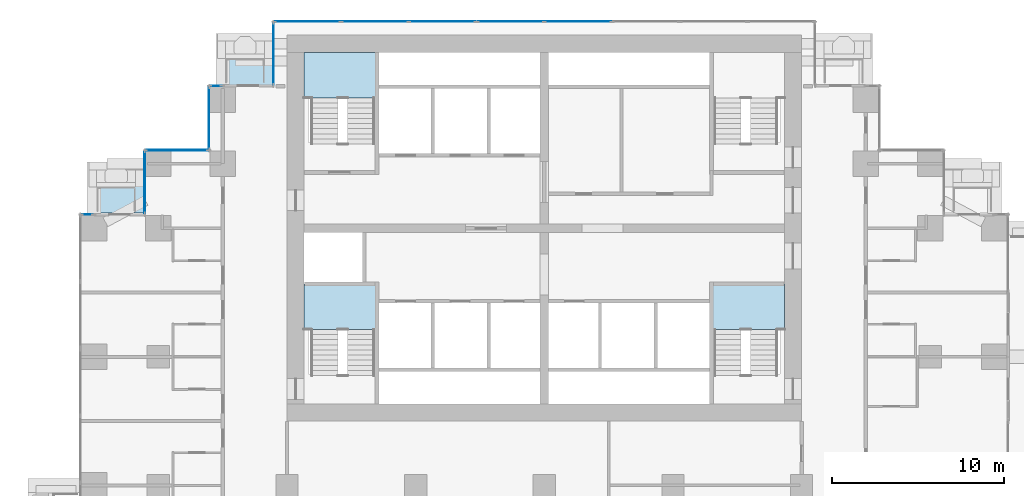
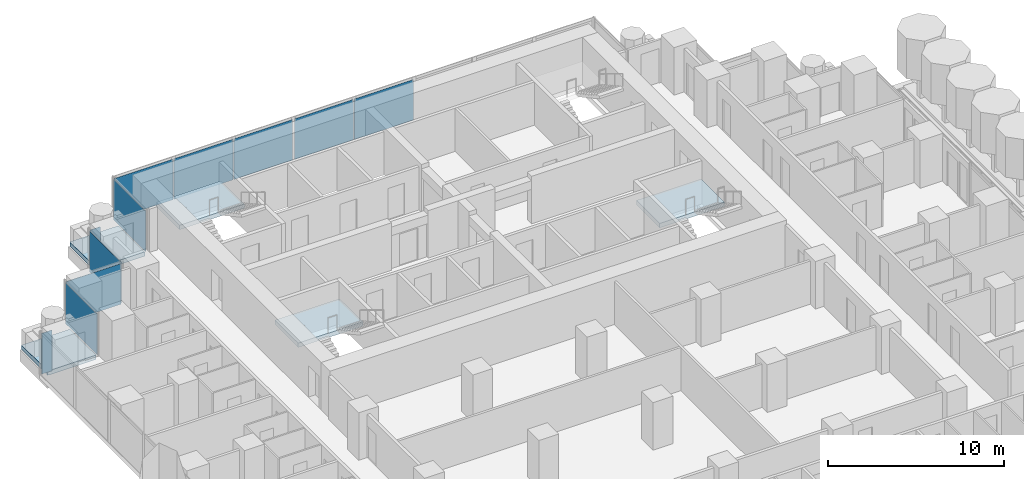
# One storey, part 9 of 20: 11 plates, 5 slabs, 11 elements without a shape of their own.
"""IFC4 building model written with IfcOpenShell, lengths in metres."""

import ifcopenshell
import ifcopenshell.guid

model = None  # the IFC model being written
_history = None  # IfcOwnerHistory: only IFC2X3 demands one
_inside = {}  # id of a spatial element -> (the spatial element, [elements in it])
_under = {}  # id of a project, library or spatial element -> (it, [spatial elements below it])
_declared = {}  # id of a project -> (the project, [libraries it declares])
_typed = {}  # id of a type object -> (the type object, [elements of that type])
_made_of = {}  # id of a material, layer set ... -> (it, [elements and type objects made of it])


def new_model(schema):
    """Start an empty IFC model of exactly this schema.

    Asked for "IFC4X3", IfcOpenShell would pick the latest addendum, in which some entities
    have other attributes; the version numbers below select the first issue.
    IFC2X3 requires an IfcOwnerHistory on every rooted entity: one is made here for all.
    """
    global model, _history
    if schema == "IFC4X3":
        model = ifcopenshell.file(schema_version=(4, 3, 0, 0))
    else:
        model = ifcopenshell.file(schema=schema)
    _inside.clear()
    _under.clear()
    _declared.clear()
    _typed.clear()
    _made_of.clear()
    _history = None
    if model.schema == "IFC2X3":
        org = make("IfcOrganization", Name="unknown")
        user = make(
            "IfcPersonAndOrganization",
            ThePerson=make("IfcPerson", FamilyName="unknown"),
            TheOrganization=org,
        )
        app = make(
            "IfcApplication",
            ApplicationDeveloper=org,
            Version="unknown",
            ApplicationFullName="unknown",
            ApplicationIdentifier="unknown",
        )
        _history = make(
            "IfcOwnerHistory",
            OwningUser=user,
            OwningApplication=app,
            ChangeAction="ADDED",
            CreationDate=0,
        )
    return model


def make(cls, **values):
    """One entity of the class cls with the attributes given. An attribute that is None is left unset."""
    return model.create_entity(
        cls, **{name: value for name, value in values.items() if value is not None}
    )


def rooted(cls, **values):
    """An entity with a GlobalId (a new one), such as an element, a storey or a relation."""
    return make(cls, GlobalId=ifcopenshell.guid.new(), OwnerHistory=_history, **values)


def si_unit(unit_type, name, prefix=None):
    """IfcSIUnit, for example si_unit("LENGTHUNIT", "METRE", prefix="MILLI")."""
    return make("IfcSIUnit", UnitType=unit_type, Prefix=prefix, Name=name)


def assignment(units):
    """IfcUnitAssignment: the units of a project."""
    return None if units is None else make("IfcUnitAssignment", Units=units)


def point(xyz):
    """IfcCartesianPoint."""
    return None if xyz is None else make("IfcCartesianPoint", Coordinates=xyz)


def direction(xyz):
    """IfcDirection."""
    return None if xyz is None else make("IfcDirection", DirectionRatios=xyz)


def frame(location, z_axis=None, x_axis=None):
    """IfcAxis2Placement3D, a coordinate frame: its origin and axes. An axis left out is left unset."""
    return make(
        "IfcAxis2Placement3D",
        Location=point(location),
        Axis=direction(z_axis),
        RefDirection=direction(x_axis),
    )


def frame_2d(location, x_axis=None):
    """IfcAxis2Placement2D, a coordinate frame in the plane: its origin and x axis."""
    return make(
        "IfcAxis2Placement2D", Location=point(location), RefDirection=direction(x_axis)
    )


def origin():
    """The frame at (0, 0, 0) with its axes left unset."""
    return frame((0.0, 0.0, 0.0))


def origin_2d():
    """The frame at (0, 0) in the plane with its x axis left unset."""
    return frame_2d((0.0, 0.0))


def place(relative_to, where):
    """IfcLocalPlacement: puts the frame where relative to a parent placement (None: the world)."""
    return make(
        "IfcLocalPlacement", PlacementRelTo=relative_to, RelativePlacement=where
    )


def context(
    kind, dimensions, precision=None, world=None, true_north=None, identifier=None
):
    """IfcGeometricRepresentationContext, for example the 3D "Model" context."""
    return make(
        "IfcGeometricRepresentationContext",
        ContextIdentifier=identifier,
        ContextType=kind,
        CoordinateSpaceDimension=dimensions,
        Precision=precision,
        WorldCoordinateSystem=world,
        TrueNorth=true_north,
    )


def subcontext(parent, identifier, kind, view, scale=None):
    """IfcGeometricRepresentationSubContext, for example "Body" below "Model"."""
    return make(
        "IfcGeometricRepresentationSubContext",
        ContextIdentifier=identifier,
        ContextType=kind,
        ParentContext=parent,
        TargetScale=scale,
        TargetView=view,
    )


def project(units=None, contexts=None):
    """IfcProject with its units and contexts."""
    return rooted(
        "IfcProject",
        Name="project",
        RepresentationContexts=contexts,
        UnitsInContext=assignment(units),
    )


def spatial(cls, under=None, at=None, **own):
    """A site, building, storey or space (cls), placed at a placement, below another one or the project."""
    s = rooted(cls, ObjectPlacement=at, **own)
    if under is not None:
        _under.setdefault(under.id(), (under, []))[1].append(s)
    return s


def polyline(points):
    """IfcPolyline through the points."""
    return make("IfcPolyline", Points=[point(p) for p in points])


def profile(cls, at=None, kind="AREA", **sizes):
    """A parametric profile (cls). Its sizes go by their IFC names, for example OverallWidth=200.0."""
    return make(cls, ProfileType=kind, Position=at, **sizes)


def rectangle(**sizes):
    """IfcRectangleProfileDef."""
    return profile("IfcRectangleProfileDef", **sizes)


def outline(outer, holes=None, kind="AREA"):
    """IfcArbitraryClosedProfileDef: a profile drawn as a closed curve; with holes, ...WithVoids."""
    if holes is None:
        return make("IfcArbitraryClosedProfileDef", ProfileType=kind, OuterCurve=outer)
    return make(
        "IfcArbitraryProfileDefWithVoids",
        ProfileType=kind,
        OuterCurve=outer,
        InnerCurves=holes,
    )


def extrude(swept, where, along, depth):
    """IfcExtrudedAreaSolid: the profile swept, set in the frame where, extruded along a direction by depth."""
    return make(
        "IfcExtrudedAreaSolid",
        SweptArea=swept,
        Position=where,
        ExtrudedDirection=direction(along),
        Depth=depth,
    )


def shape(context_of_items, identifier, shape_type, items):
    """IfcShapeRepresentation: the items that make up one representation, for example the "Body"."""
    return make(
        "IfcShapeRepresentation",
        ContextOfItems=context_of_items,
        RepresentationIdentifier=identifier,
        RepresentationType=shape_type,
        Items=items,
    )


def material(Name=None, Category=None):
    """IfcMaterial."""
    return make("IfcMaterial", Name=Name, Category=Category)


def layer(
    of_material, thickness, ventilated=None, Name=None, Category=None, Priority=None
):
    """IfcMaterialLayer: one layer of a wall or slab, of a material (None: an air gap)."""
    return make(
        "IfcMaterialLayer",
        Material=of_material,
        LayerThickness=thickness,
        IsVentilated=ventilated,
        Name=Name,
        Category=Category,
        Priority=Priority,
    )


def layer_set(layers, Name=None):
    """IfcMaterialLayerSet."""
    return make("IfcMaterialLayerSet", MaterialLayers=layers, LayerSetName=Name)


def made_of(thing, what):
    """Note that an element or type object is made of a material, layer set ...; save() writes the relation."""
    if what is not None:
        _made_of.setdefault(what.id(), (what, []))[1].append(thing)
    return thing


def type_object(cls, material=None, **own):
    """A type object (cls), such as IfcWallType, which elements share."""
    return made_of(rooted(cls, **own), material)


def element(
    cls,
    number,
    at=None,
    inside=None,
    cuts=None,
    type_object=None,
    material=None,
    context=None,
    identifier="Body",
    shape_type=None,
    held_by="IfcProductDefinitionShape",
    body=None,
    shapes=None,
    **own,
):
    """One element of the class cls, such as IfcWall. Its Tag is "e" and its number.

    at: its placement. inside: the storey or other place that contains it. cuts: it is an
    opening in that element (IfcRelVoidsElement). A single representation is given by context,
    identifier, shape_type and body (its items); several are given by shapes. held_by: the class
    of the entity that holds the representations. save() writes the other relations.
    """
    e = rooted(cls, Tag="e%d" % number, ObjectPlacement=at, **own)
    if body is not None:
        shapes = [shape(context, identifier, shape_type, body)]
    if shapes is not None:
        e.Representation = make(held_by, Representations=shapes)
    if inside is not None:
        _inside.setdefault(inside.id(), (inside, []))[1].append(e)
    if cuts is not None:
        rooted(
            "IfcRelVoidsElement", RelatingBuildingElement=cuts, RelatedOpeningElement=e
        )
    if type_object is not None:
        _typed.setdefault(type_object.id(), (type_object, []))[1].append(e)
    return made_of(e, material)


def aggregate(whole, parts):
    """IfcRelAggregates: a whole, such as a stair, and the parts it consists of."""
    return rooted("IfcRelAggregates", RelatingObject=whole, RelatedObjects=parts)


def save(model, path):
    """Write the relations noted so far, then the file.

    IfcRelAggregates (storeys below a building ...), IfcRelContainedInSpatialStructure (elements
    in a storey), IfcRelDefinesByType, IfcRelAssociatesMaterial and IfcRelDeclares: one each for
    every whole, place, type object, material and project.
    """
    for whole, parts in _under.values():
        aggregate(whole, parts)
    for where, things in _inside.values():
        rooted(
            "IfcRelContainedInSpatialStructure",
            RelatedElements=things,
            RelatingStructure=where,
        )
    for kind, things in _typed.values():
        rooted("IfcRelDefinesByType", RelatedObjects=things, RelatingType=kind)
    for what, things in _made_of.values():
        rooted("IfcRelAssociatesMaterial", RelatedObjects=things, RelatingMaterial=what)
    for by, libraries in _declared.values():
        rooted("IfcRelDeclares", RelatingContext=by, RelatedDefinitions=libraries)
    model.write(path)


model = new_model("IFC4")

# Units and contexts
model_context = context("Model", 3, precision=1e-05, world=origin(), true_north=direction((0.0, 1.0)))
body_context = subcontext(model_context, "Body", "Model", "MODEL_VIEW")
ifc_project = project(units=[si_unit("LENGTHUNIT", "METRE"), si_unit("AREAUNIT", "SQUARE_METRE"), si_unit("VOLUMEUNIT", "CUBIC_METRE"), si_unit("PLANEANGLEUNIT", "RADIAN"), si_unit("MASSUNIT", "GRAM", prefix="KILO")], contexts=[model_context])

# Site, building, storey
site_placement = place(None, origin())
site = spatial("IfcSite", under=ifc_project, at=site_placement, CompositionType="ELEMENT")
building_placement = place(site_placement, origin())
building = spatial("IfcBuilding", under=site, at=building_placement, Name="Pilkhan Gate Tower", CompositionType="ELEMENT")
storey_placement = place(building_placement, frame((0.0, 0.0, 85.699951171875)))
storey = spatial("IfcBuildingStorey", under=building, at=storey_placement, Name="L20", CompositionType="ELEMENT", Elevation=85.699951171875)

# Slabs
ifc_material_1 = material(Name="Concrete C60/75", Category="concrete")
ifc_layer_1 = layer(ifc_material_1, 0.300048828125)
ifc_layer_set_1 = layer_set([ifc_layer_1], Name="Balcony tray slab TR300")
slab_type_1 = type_object("IfcSlabType", Name="Balcony tray slab TR300", PredefinedType="FLOOR", material=ifc_layer_set_1)
slab_1_placement = place(storey_placement, frame((0.0, 0.0, -0.300048828125)))
element("IfcSlab", 1, at=slab_1_placement, inside=storey, type_object=slab_type_1, Name="Balcony tray L20 N", PredefinedType="FLOOR", context=body_context, shape_type="SweptSolid", body=[
    extrude(outline(polyline([(59.14990234375, 90.85009765625), (59.14990234375, 93.85009765625), (55.949951171875, 93.85009765625), (55.949951171875, 90.85009765625), (59.14990234375, 90.85009765625)])), origin(), (0.0, 0.0, 1.0), 0.300048828125),
])
slab_2_placement = place(storey_placement, frame((0.0, 0.0, -0.300048828125)))
element("IfcSlab", 2, at=slab_2_placement, inside=storey, type_object=slab_type_1, Name="Balcony tray L20 N", PredefinedType="FLOOR", context=body_context, shape_type="SweptSolid", body=[
    extrude(outline(polyline([(51.6298828125, 83.3701171875), (51.6298828125, 86.35009765625), (48.449951171875, 86.35009765625), (48.449951171875, 83.3701171875), (51.6298828125, 83.3701171875)])), origin(), (0.0, 0.0, 1.0), 0.300048828125),
])

# Curtain wall, plates
ifc_material_2 = material(Name="Pale anodised aluminium, clear low-iron double glazing", Category="aluminium")
curtain_wall_type = type_object("IfcCurtainWallType", Name="Hotel unitised curtain wall CW-H", PredefinedType="USERDEFINED", material=ifc_material_2)
curtain_wall_1_placement = place(storey_placement, origin())
curtain_wall_1 = element("IfcCurtainWall", 3, at=curtain_wall_1_placement, inside=storey, type_object=curtain_wall_type, Name="Hotel unitised curtain wall CW-H L20 N", ObjectType="UNITISED CURTAIN WALL", PredefinedType="USERDEFINED")
ifc_material_3 = material(Name="Clear low-iron double glazing", Category="glass")
ifc_layer_2 = layer(ifc_material_3, 0.035888671875)
ifc_layer_set_2 = layer_set([ifc_layer_2], Name="Glass panel CW-H 36")
plate_type = type_object("IfcPlateType", Name="Glass panel CW-H 36", PredefinedType="CURTAIN_PANEL", material=ifc_layer_set_2)
plate_1_placement = place(storey_placement, frame((61.195556640625, 94.544921875, 0.0), z_axis=(0.0, 0.0, 1.0), x_axis=(1.0, 0.0, 0.0)))
plate_1 = element("IfcPlate", 4, at=plate_1_placement, type_object=plate_type, Name="CW-H panel 1", PredefinedType="CURTAIN_PANEL", context=body_context, shape_type="SweptSolid", body=[
    extrude(rectangle(XDim=3.851318359375, YDim=0.035888671875, at=origin_2d()), origin(), (0.0, 0.0, 1.0), 2.820068359375),
])
plate_2_placement = place(storey_placement, frame((65.128173828125, 94.544921875, 0.0), z_axis=(0.0, 0.0, 1.0), x_axis=(1.0, 0.0, 0.0)))
plate_2 = element("IfcPlate", 5, at=plate_2_placement, type_object=plate_type, Name="CW-H panel 2", PredefinedType="CURTAIN_PANEL", context=body_context, shape_type="SweptSolid", body=[
    extrude(rectangle(XDim=3.8837890625, YDim=0.035888671875, at=origin_2d()), origin(), (0.0, 0.0, 1.0), 2.820068359375),
])
plate_3_placement = place(storey_placement, frame((69.060546875, 94.544921875, 0.0), z_axis=(0.0, 0.0, 1.0), x_axis=(1.0, 0.0, 0.0)))
plate_3 = element("IfcPlate", 6, at=plate_3_placement, type_object=plate_type, Name="CW-H panel 3", PredefinedType="CURTAIN_PANEL", context=body_context, shape_type="SweptSolid", body=[
    extrude(rectangle(XDim=3.851318359375, YDim=0.035888671875, at=origin_2d()), origin(), (0.0, 0.0, 1.0), 2.820068359375),
])
aggregate(curtain_wall_1, [plate_1, plate_2, plate_3])

curtain_wall_2_placement = place(storey_placement, origin())
curtain_wall_2 = element("IfcCurtainWall", 7, at=curtain_wall_2_placement, inside=storey, type_object=curtain_wall_type, Name="Hotel unitised curtain wall CW-H L20 N", ObjectType="UNITISED CURTAIN WALL", PredefinedType="USERDEFINED")
plate_4_placement = place(storey_placement, frame((73.0419921875, 94.544921875, 0.0), z_axis=(0.0, 0.0, 1.0), x_axis=(1.0, 0.0, 0.0)))
plate_4 = element("IfcPlate", 8, at=plate_4_placement, type_object=plate_type, Name="CW-H panel 1", PredefinedType="CURTAIN_PANEL", context=body_context, shape_type="SweptSolid", body=[
    extrude(rectangle(XDim=3.851318359375, YDim=0.035888671875, at=origin_2d()), origin(), (0.0, 0.0, 1.0), 2.820068359375),
])
plate_5_placement = place(storey_placement, frame((76.974365234375, 94.544921875, 0.0), z_axis=(0.0, 0.0, 1.0), x_axis=(1.0, 0.0, 0.0)))
plate_5 = element("IfcPlate", 9, at=plate_5_placement, type_object=plate_type, Name="CW-H panel 2", PredefinedType="CURTAIN_PANEL", context=body_context, shape_type="SweptSolid", body=[
    extrude(rectangle(XDim=3.8837890625, YDim=0.035888671875, at=origin_2d()), origin(), (0.0, 0.0, 1.0), 2.820068359375),
])
aggregate(curtain_wall_2, [plate_4, plate_5])

# Curtain wall, plate
curtain_wall_3_placement = place(storey_placement, origin())
curtain_wall_3 = element("IfcCurtainWall", 10, at=curtain_wall_3_placement, inside=storey, type_object=curtain_wall_type, Name="Hotel unitised curtain wall CW-H L20 W", ObjectType="UNITISED CURTAIN WALL", PredefinedType="USERDEFINED")
plate_6_placement = place(storey_placement, frame((59.205078125, 92.669921875, 0.0), z_axis=(0.0, 0.0, 1.0), x_axis=(0.0, 1.0, 0.0)))
plate_6 = element("IfcPlate", 11, at=plate_6_placement, type_object=plate_type, Name="CW-H panel 1", PredefinedType="CURTAIN_PANEL", context=body_context, shape_type="SweptSolid", body=[
    extrude(rectangle(XDim=3.6201171875, YDim=0.035888671875, at=origin_2d()), origin(), (0.0, 0.0, 1.0), 2.820068359375),
])
aggregate(curtain_wall_3, [plate_6])

curtain_wall_4_placement = place(storey_placement, origin())
curtain_wall_4 = element("IfcCurtainWall", 12, at=curtain_wall_4_placement, inside=storey, type_object=curtain_wall_type, Name="Hotel unitised curtain wall CW-H L20 N", ObjectType="UNITISED CURTAIN WALL", PredefinedType="USERDEFINED")
plate_7_placement = place(storey_placement, frame((55.8525390625, 90.794921875, 0.0), z_axis=(0.0, 0.0, 1.0), x_axis=(1.0, 0.0, 0.0)))
plate_7 = element("IfcPlate", 13, at=plate_7_placement, type_object=plate_type, Name="CW-H panel 1", PredefinedType="CURTAIN_PANEL", context=body_context, shape_type="SweptSolid", body=[
    extrude(rectangle(XDim=0.6650390625, YDim=0.035888671875, at=origin_2d()), origin(), (0.0, 0.0, 1.0), 2.820068359375),
])
aggregate(curtain_wall_4, [plate_7])

curtain_wall_5_placement = place(storey_placement, origin())
curtain_wall_5 = element("IfcCurtainWall", 14, at=curtain_wall_5_placement, inside=storey, type_object=curtain_wall_type, Name="Hotel unitised curtain wall CW-H L20 W", ObjectType="UNITISED CURTAIN WALL", PredefinedType="USERDEFINED")
plate_8_placement = place(storey_placement, frame((55.455078125, 88.919921875, 0.0), z_axis=(0.0, 0.0, 1.0), x_axis=(0.0, 1.0, 0.0)))
plate_8 = element("IfcPlate", 15, at=plate_8_placement, type_object=plate_type, Name="CW-H panel 1", PredefinedType="CURTAIN_PANEL", context=body_context, shape_type="SweptSolid", body=[
    extrude(rectangle(XDim=3.6201171875, YDim=0.035888671875, at=origin_2d()), origin(), (0.0, 0.0, 1.0), 2.820068359375),
])
aggregate(curtain_wall_5, [plate_8])

curtain_wall_6_placement = place(storey_placement, origin())
curtain_wall_6 = element("IfcCurtainWall", 16, at=curtain_wall_6_placement, inside=storey, type_object=curtain_wall_type, Name="Hotel unitised curtain wall CW-H L20 N", ObjectType="UNITISED CURTAIN WALL", PredefinedType="USERDEFINED")
plate_9_placement = place(storey_placement, frame((53.580078125, 87.044921875, 0.0), z_axis=(0.0, 0.0, 1.0), x_axis=(1.0, 0.0, 0.0)))
plate_9 = element("IfcPlate", 17, at=plate_9_placement, type_object=plate_type, Name="CW-H panel 1", PredefinedType="CURTAIN_PANEL", context=body_context, shape_type="SweptSolid", body=[
    extrude(rectangle(XDim=3.6201171875, YDim=0.035888671875, at=origin_2d()), origin(), (0.0, 0.0, 1.0), 2.820068359375),
])
aggregate(curtain_wall_6, [plate_9])

curtain_wall_7_placement = place(storey_placement, origin())
curtain_wall_7 = element("IfcCurtainWall", 18, at=curtain_wall_7_placement, inside=storey, type_object=curtain_wall_type, Name="Hotel unitised curtain wall CW-H L20 W", ObjectType="UNITISED CURTAIN WALL", PredefinedType="USERDEFINED")
plate_10_placement = place(storey_placement, frame((51.705078125, 85.169921875, 0.0), z_axis=(0.0, 0.0, 1.0), x_axis=(0.0, 1.0, 0.0)))
plate_10 = element("IfcPlate", 19, at=plate_10_placement, type_object=plate_type, Name="CW-H panel 1", PredefinedType="CURTAIN_PANEL", context=body_context, shape_type="SweptSolid", body=[
    extrude(rectangle(XDim=3.6201171875, YDim=0.035888671875, at=origin_2d()), origin(), (0.0, 0.0, 1.0), 2.820068359375),
])
aggregate(curtain_wall_7, [plate_10])

curtain_wall_8_placement = place(storey_placement, origin())
curtain_wall_8 = element("IfcCurtainWall", 20, at=curtain_wall_8_placement, inside=storey, type_object=curtain_wall_type, Name="Hotel unitised curtain wall CW-H L20 N", ObjectType="UNITISED CURTAIN WALL", PredefinedType="USERDEFINED")
plate_11_placement = place(storey_placement, frame((48.3525390625, 83.294921875, 0.0), z_axis=(0.0, 0.0, 1.0), x_axis=(1.0, 0.0, 0.0)))
plate_11 = element("IfcPlate", 21, at=plate_11_placement, type_object=plate_type, Name="CW-H panel 1", PredefinedType="CURTAIN_PANEL", context=body_context, shape_type="SweptSolid", body=[
    extrude(rectangle(XDim=0.6650390625, YDim=0.035888671875, at=origin_2d()), origin(), (0.0, 0.0, 1.0), 2.820068359375),
])
aggregate(curtain_wall_8, [plate_11])

# Stair, slab
ifc_material_4 = material(Name="Concrete C40/50 precast", Category="concrete")
stair_type_1 = type_object("IfcStairType", Name="Stair ST1 165x300", PredefinedType="HALF_TURN_STAIR", material=ifc_material_4)
stair_1_placement = place(storey_placement, origin())
stair_1 = element("IfcStair", 22, at=stair_1_placement, inside=storey, type_object=stair_type_1, Name="Stair ST1 L20", PredefinedType="HALF_TURN_STAIR")
ifc_material_5 = material(Name="Concrete C40/50", Category="concrete")
ifc_layer_3 = layer(ifc_material_5, 0.199951171875)
ifc_layer_set_3 = layer_set([ifc_layer_3], Name="Stair landing SL200")
slab_type_2 = type_object("IfcSlabType", Name="Stair landing SL200", PredefinedType="LANDING", material=ifc_layer_set_3)
slab_3_placement = place(storey_placement, frame((0.0, 0.0, 1.35009765625)))
slab_3 = element("IfcSlab", 23, at=slab_3_placement, type_object=slab_type_2, Name="ST1 landing 1", PredefinedType="LANDING", context=body_context, shape_type="SweptSolid", body=[
    extrude(outline(polyline([(89.0, 76.60009765625), (89.0, 79.25), (84.75, 79.25), (84.75, 76.60009765625), (89.0, 76.60009765625)])), origin(), (0.0, 0.0, 1.0), 0.300048828125),
])
aggregate(stair_1, [slab_3])

stair_type_2 = type_object("IfcStairType", Name="Stair ST2 165x300", PredefinedType="HALF_TURN_STAIR", material=ifc_material_4)
stair_2_placement = place(storey_placement, origin())
stair_2 = element("IfcStair", 24, at=stair_2_placement, inside=storey, type_object=stair_type_2, Name="Stair ST2 L20", PredefinedType="HALF_TURN_STAIR")
slab_4_placement = place(storey_placement, frame((0.0, 0.0, 1.35009765625)))
slab_4 = element("IfcSlab", 25, at=slab_4_placement, type_object=slab_type_2, Name="ST2 landing 1", PredefinedType="LANDING", context=body_context, shape_type="SweptSolid", body=[
    extrude(outline(polyline([(65.25, 76.60009765625), (65.25, 79.25), (61.0, 79.25), (61.0, 76.60009765625), (65.25, 76.60009765625)])), origin(), (0.0, 0.0, 1.0), 0.300048828125),
])
aggregate(stair_2, [slab_4])

stair_type_3 = type_object("IfcStairType", Name="Stair ST3 165x300", PredefinedType="HALF_TURN_STAIR", material=ifc_material_4)
stair_3_placement = place(storey_placement, origin())
stair_3 = element("IfcStair", 26, at=stair_3_placement, inside=storey, type_object=stair_type_3, Name="Stair ST3 L20", PredefinedType="HALF_TURN_STAIR")
slab_5_placement = place(storey_placement, frame((0.0, 0.0, 1.35009765625)))
slab_5 = element("IfcSlab", 27, at=slab_5_placement, type_object=slab_type_2, Name="ST3 landing 1", PredefinedType="LANDING", context=body_context, shape_type="SweptSolid", body=[
    extrude(outline(polyline([(65.25, 90.10009765625), (65.25, 92.75), (61.0, 92.75), (61.0, 90.10009765625), (65.25, 90.10009765625)])), origin(), (0.0, 0.0, 1.0), 0.300048828125),
])
aggregate(stair_3, [slab_5])

save(model, "model.ifc")
